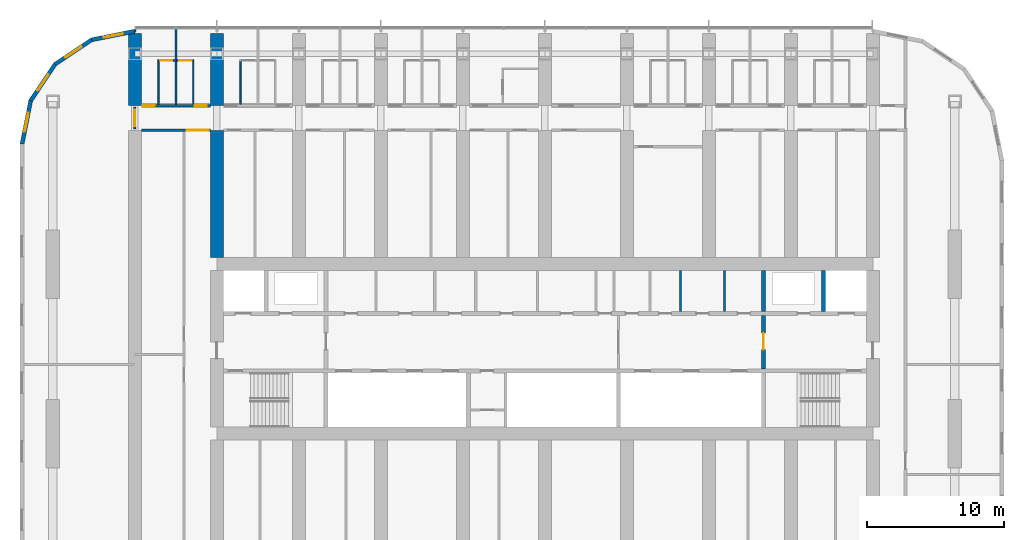
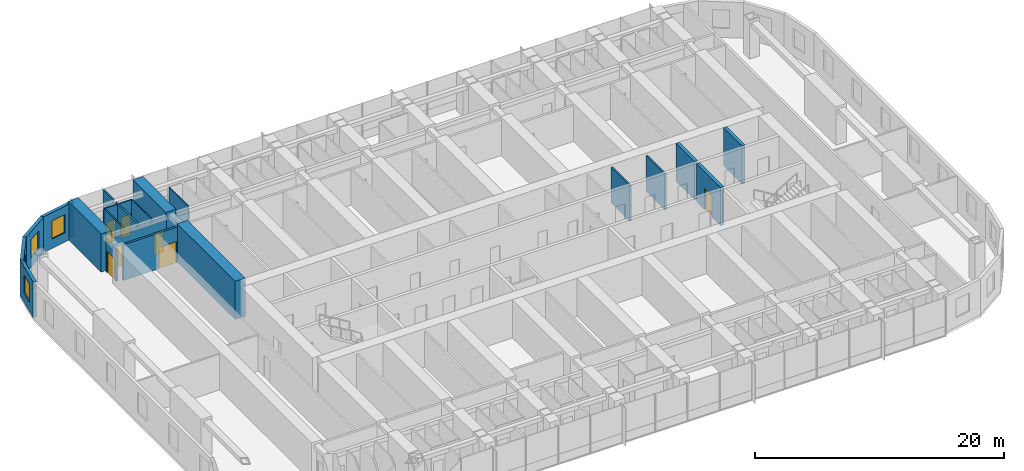
# One storey, part 13 of 22: 22 walls, 7 doors, 4 windows, 11 openings.
"""IFC4 building model written with IfcOpenShell, lengths in metres."""

import ifcopenshell
import ifcopenshell.guid

model = None  # the IFC model being written
_history = None  # IfcOwnerHistory: only IFC2X3 demands one
_inside = {}  # id of a spatial element -> (the spatial element, [elements in it])
_under = {}  # id of a project, library or spatial element -> (it, [spatial elements below it])
_declared = {}  # id of a project -> (the project, [libraries it declares])
_typed = {}  # id of a type object -> (the type object, [elements of that type])
_made_of = {}  # id of a material, layer set ... -> (it, [elements and type objects made of it])


def new_model(schema):
    """Start an empty IFC model of exactly this schema.

    Asked for "IFC4X3", IfcOpenShell would pick the latest addendum, in which some entities
    have other attributes; the version numbers below select the first issue.
    IFC2X3 requires an IfcOwnerHistory on every rooted entity: one is made here for all.
    """
    global model, _history
    if schema == "IFC4X3":
        model = ifcopenshell.file(schema_version=(4, 3, 0, 0))
    else:
        model = ifcopenshell.file(schema=schema)
    _inside.clear()
    _under.clear()
    _declared.clear()
    _typed.clear()
    _made_of.clear()
    _history = None
    if model.schema == "IFC2X3":
        org = make("IfcOrganization", Name="unknown")
        user = make(
            "IfcPersonAndOrganization",
            ThePerson=make("IfcPerson", FamilyName="unknown"),
            TheOrganization=org,
        )
        app = make(
            "IfcApplication",
            ApplicationDeveloper=org,
            Version="unknown",
            ApplicationFullName="unknown",
            ApplicationIdentifier="unknown",
        )
        _history = make(
            "IfcOwnerHistory",
            OwningUser=user,
            OwningApplication=app,
            ChangeAction="ADDED",
            CreationDate=0,
        )
    return model


def make(cls, **values):
    """One entity of the class cls with the attributes given. An attribute that is None is left unset."""
    return model.create_entity(
        cls, **{name: value for name, value in values.items() if value is not None}
    )


def rooted(cls, **values):
    """An entity with a GlobalId (a new one), such as an element, a storey or a relation."""
    return make(cls, GlobalId=ifcopenshell.guid.new(), OwnerHistory=_history, **values)


def si_unit(unit_type, name, prefix=None):
    """IfcSIUnit, for example si_unit("LENGTHUNIT", "METRE", prefix="MILLI")."""
    return make("IfcSIUnit", UnitType=unit_type, Prefix=prefix, Name=name)


def assignment(units):
    """IfcUnitAssignment: the units of a project."""
    return None if units is None else make("IfcUnitAssignment", Units=units)


def point(xyz):
    """IfcCartesianPoint."""
    return None if xyz is None else make("IfcCartesianPoint", Coordinates=xyz)


def direction(xyz):
    """IfcDirection."""
    return None if xyz is None else make("IfcDirection", DirectionRatios=xyz)


def frame(location, z_axis=None, x_axis=None):
    """IfcAxis2Placement3D, a coordinate frame: its origin and axes. An axis left out is left unset."""
    return make(
        "IfcAxis2Placement3D",
        Location=point(location),
        Axis=direction(z_axis),
        RefDirection=direction(x_axis),
    )


def frame_2d(location, x_axis=None):
    """IfcAxis2Placement2D, a coordinate frame in the plane: its origin and x axis."""
    return make(
        "IfcAxis2Placement2D", Location=point(location), RefDirection=direction(x_axis)
    )


def origin():
    """The frame at (0, 0, 0) with its axes left unset."""
    return frame((0.0, 0.0, 0.0))


def place(relative_to, where):
    """IfcLocalPlacement: puts the frame where relative to a parent placement (None: the world)."""
    return make(
        "IfcLocalPlacement", PlacementRelTo=relative_to, RelativePlacement=where
    )


def context(
    kind, dimensions, precision=None, world=None, true_north=None, identifier=None
):
    """IfcGeometricRepresentationContext, for example the 3D "Model" context."""
    return make(
        "IfcGeometricRepresentationContext",
        ContextIdentifier=identifier,
        ContextType=kind,
        CoordinateSpaceDimension=dimensions,
        Precision=precision,
        WorldCoordinateSystem=world,
        TrueNorth=true_north,
    )


def subcontext(parent, identifier, kind, view, scale=None):
    """IfcGeometricRepresentationSubContext, for example "Body" below "Model"."""
    return make(
        "IfcGeometricRepresentationSubContext",
        ContextIdentifier=identifier,
        ContextType=kind,
        ParentContext=parent,
        TargetScale=scale,
        TargetView=view,
    )


def project(units=None, contexts=None):
    """IfcProject with its units and contexts."""
    return rooted(
        "IfcProject",
        Name="project",
        RepresentationContexts=contexts,
        UnitsInContext=assignment(units),
    )


def spatial(cls, under=None, at=None, **own):
    """A site, building, storey or space (cls), placed at a placement, below another one or the project."""
    s = rooted(cls, ObjectPlacement=at, **own)
    if under is not None:
        _under.setdefault(under.id(), (under, []))[1].append(s)
    return s


def polyline(points):
    """IfcPolyline through the points."""
    return make("IfcPolyline", Points=[point(p) for p in points])


def profile(cls, at=None, kind="AREA", **sizes):
    """A parametric profile (cls). Its sizes go by their IFC names, for example OverallWidth=200.0."""
    return make(cls, ProfileType=kind, Position=at, **sizes)


def rectangle(**sizes):
    """IfcRectangleProfileDef."""
    return profile("IfcRectangleProfileDef", **sizes)


def outline(outer, holes=None, kind="AREA"):
    """IfcArbitraryClosedProfileDef: a profile drawn as a closed curve; with holes, ...WithVoids."""
    if holes is None:
        return make("IfcArbitraryClosedProfileDef", ProfileType=kind, OuterCurve=outer)
    return make(
        "IfcArbitraryProfileDefWithVoids",
        ProfileType=kind,
        OuterCurve=outer,
        InnerCurves=holes,
    )


def extrude(swept, where, along, depth):
    """IfcExtrudedAreaSolid: the profile swept, set in the frame where, extruded along a direction by depth."""
    return make(
        "IfcExtrudedAreaSolid",
        SweptArea=swept,
        Position=where,
        ExtrudedDirection=direction(along),
        Depth=depth,
    )


def shape(context_of_items, identifier, shape_type, items):
    """IfcShapeRepresentation: the items that make up one representation, for example the "Body"."""
    return make(
        "IfcShapeRepresentation",
        ContextOfItems=context_of_items,
        RepresentationIdentifier=identifier,
        RepresentationType=shape_type,
        Items=items,
    )


def material(Name=None, Category=None):
    """IfcMaterial."""
    return make("IfcMaterial", Name=Name, Category=Category)


def layer(
    of_material, thickness, ventilated=None, Name=None, Category=None, Priority=None
):
    """IfcMaterialLayer: one layer of a wall or slab, of a material (None: an air gap)."""
    return make(
        "IfcMaterialLayer",
        Material=of_material,
        LayerThickness=thickness,
        IsVentilated=ventilated,
        Name=Name,
        Category=Category,
        Priority=Priority,
    )


def layer_set(layers, Name=None):
    """IfcMaterialLayerSet."""
    return make("IfcMaterialLayerSet", MaterialLayers=layers, LayerSetName=Name)


def made_of(thing, what):
    """Note that an element or type object is made of a material, layer set ...; save() writes the relation."""
    if what is not None:
        _made_of.setdefault(what.id(), (what, []))[1].append(thing)
    return thing


def type_object(cls, material=None, **own):
    """A type object (cls), such as IfcWallType, which elements share."""
    return made_of(rooted(cls, **own), material)


def element(
    cls,
    number,
    at=None,
    inside=None,
    cuts=None,
    type_object=None,
    material=None,
    context=None,
    identifier="Body",
    shape_type=None,
    held_by="IfcProductDefinitionShape",
    body=None,
    shapes=None,
    **own,
):
    """One element of the class cls, such as IfcWall. Its Tag is "e" and its number.

    at: its placement. inside: the storey or other place that contains it. cuts: it is an
    opening in that element (IfcRelVoidsElement). A single representation is given by context,
    identifier, shape_type and body (its items); several are given by shapes. held_by: the class
    of the entity that holds the representations. save() writes the other relations.
    """
    e = rooted(cls, Tag="e%d" % number, ObjectPlacement=at, **own)
    if body is not None:
        shapes = [shape(context, identifier, shape_type, body)]
    if shapes is not None:
        e.Representation = make(held_by, Representations=shapes)
    if inside is not None:
        _inside.setdefault(inside.id(), (inside, []))[1].append(e)
    if cuts is not None:
        rooted(
            "IfcRelVoidsElement", RelatingBuildingElement=cuts, RelatedOpeningElement=e
        )
    if type_object is not None:
        _typed.setdefault(type_object.id(), (type_object, []))[1].append(e)
    return made_of(e, material)


def fill(opening, filler):
    """IfcRelFillsElement: the door or window that sits in an opening."""
    return rooted(
        "IfcRelFillsElement",
        RelatingOpeningElement=opening,
        RelatedBuildingElement=filler,
    )


def aggregate(whole, parts):
    """IfcRelAggregates: a whole, such as a stair, and the parts it consists of."""
    return rooted("IfcRelAggregates", RelatingObject=whole, RelatedObjects=parts)


def save(model, path):
    """Write the relations noted so far, then the file.

    IfcRelAggregates (storeys below a building ...), IfcRelContainedInSpatialStructure (elements
    in a storey), IfcRelDefinesByType, IfcRelAssociatesMaterial and IfcRelDeclares: one each for
    every whole, place, type object, material and project.
    """
    for whole, parts in _under.values():
        aggregate(whole, parts)
    for where, things in _inside.values():
        rooted(
            "IfcRelContainedInSpatialStructure",
            RelatedElements=things,
            RelatingStructure=where,
        )
    for kind, things in _typed.values():
        rooted("IfcRelDefinesByType", RelatedObjects=things, RelatingType=kind)
    for what, things in _made_of.values():
        rooted("IfcRelAssociatesMaterial", RelatedObjects=things, RelatingMaterial=what)
    for by, libraries in _declared.values():
        rooted("IfcRelDeclares", RelatingContext=by, RelatedDefinitions=libraries)
    model.write(path)


model = new_model("IFC4")

# Units and contexts
model_context = context("Model", 3, precision=1e-05, world=origin(), true_north=direction((0.0, 1.0)))
body_context = subcontext(model_context, "Body", "Model", "MODEL_VIEW")
ifc_project = project(units=[si_unit("LENGTHUNIT", "METRE"), si_unit("AREAUNIT", "SQUARE_METRE"), si_unit("VOLUMEUNIT", "CUBIC_METRE"), si_unit("PLANEANGLEUNIT", "RADIAN"), si_unit("MASSUNIT", "GRAM", prefix="KILO")], contexts=[model_context])

# Site, building, storey
site_placement = place(None, origin())
site = spatial("IfcSite", under=ifc_project, at=site_placement, CompositionType="ELEMENT")
building_placement = place(site_placement, origin())
building = spatial("IfcBuilding", under=site, at=building_placement, Name="Orbita Commons", CompositionType="ELEMENT")
storey_placement = place(building_placement, frame((0.0, 0.0, 121.89990234375)))
storey = spatial("IfcBuildingStorey", under=building, at=storey_placement, Name="L30", CompositionType="ELEMENT", Elevation=121.89990234375)

# Wall, opening, door
ifc_material_1 = material(Name="Concrete C50/60", Category="concrete")
ifc_layer_1 = layer(ifc_material_1, 0.300048828125)
ifc_layer_set_1 = layer_set([ifc_layer_1], Name="Concrete C50/60")
wall_type_1 = type_object("IfcWallType", Name="Core inner wall 300 C50/60", PredefinedType="SHEAR", material=ifc_layer_set_1)
wall_1_placement = place(storey_placement, frame((58.0, 30.550048828125, 0.0), z_axis=(0.0, 0.0, 1.0), x_axis=(0.0, 1.0, 0.0)))
wall_1 = element("IfcWall", 1, at=wall_1_placement, inside=storey, type_object=wall_type_1, Name="Firefighting lobby wall east L30", PredefinedType="SHEAR", context=body_context, shape_type="SweptSolid", body=[
    extrude(rectangle(XDim=3.89990234375, YDim=0.300048828125, at=frame_2d((1.949951171875, 0.0))), origin(), (0.0, 0.0, 1.0), 3.75),
])
opening_1_placement = place(wall_1_placement, frame((1.39990234375, 0.0, 0.0)))
opening_1 = element("IfcOpeningElement", 2, at=opening_1_placement, cuts=wall_1, Name="Opening D04", PredefinedType="OPENING", context=body_context, shape_type="SweptSolid", body=[
    extrude(rectangle(XDim=1.199951171875, YDim=2.10009765625, at=frame_2d((0.60009765625, 1.050048828125))), frame((0.0, 0.159912109375, 0.0), z_axis=(0.0, -1.0, 0.0), x_axis=(1.0, 0.0, 0.0)), (0.0, 0.0, 1.0), 0.320068359375),
])
ifc_material_2 = material(Name="Steel-faced fire door leaf", Category="steel")
door_type_1 = type_object("IfcDoorType", Name="Service door 20 min 1200x2100", OperationType="SINGLE_SWING_LEFT", PredefinedType="DOOR", material=ifc_material_2)
door_1_placement = place(opening_1_placement, origin())
door_1 = element("IfcDoor", 3, at=door_1_placement, inside=storey, type_object=door_type_1, Name="Lift lobby door east", OperationType="SINGLE_SWING_LEFT", OverallHeight=2.10009765625, OverallWidth=1.199951171875, PredefinedType="DOOR", context=body_context, shape_type="SweptSolid", body=[
    extrude(rectangle(XDim=1.199951171875, YDim=2.10009765625, at=frame_2d((0.60009765625, 1.050048828125))), frame((0.0, 0.02490234375, 0.0), z_axis=(0.0, -1.0, 0.0), x_axis=(1.0, 0.0, 0.0)), (0.0, 0.0, 1.0), 0.050048828125),
])
fill(opening_1, door_1)

# Walls
for number, where, z_axis, x_axis, name in (
    (4, (62.39990234375, 34.75, 0.0), (0.0, 0.0, 1.0), (0.0, 1.0, 0.0), "Firefighting lift FL2 shaft wall L30"),
    (5, (58.0, 34.75, 0.0), (0.0, 0.0, 1.0), (0.0, 1.0, 0.0), "Riser wall east L30"),
):
    element("IfcWall", number, at=place(storey_placement, frame(where, z_axis=z_axis, x_axis=x_axis)), inside=storey, type_object=wall_type_1, Name=name, PredefinedType="SHEAR", context=body_context, shape_type="SweptSolid", body=[
        extrude(rectangle(XDim=2.97509765625, YDim=0.300048828125, at=frame_2d((1.487548828125, 0.0))), origin(), (0.0, 0.0, 1.0), 3.75),
    ])
ifc_material_3 = material(Name="Concrete blockwork", Category="masonry")
ifc_layer_2 = layer(ifc_material_3, 0.14990234375)
ifc_layer_set_2 = layer_set([ifc_layer_2], Name="Concrete blockwork")
wall_type_2 = type_object("IfcWallType", Name="Core partition 150 blockwork", PredefinedType="SOLIDWALL", material=ifc_layer_set_2)
for number, where, z_axis, x_axis, name in (
    (6, (51.92138671875, 34.75, 0.0), (0.0, 0.0, 1.0), (0.0, 1.0, 0.0), "Core partition 150 blockwork L30"),
    (7, (55.163330078125, 34.75, 0.0), (0.0, 0.0, 1.0), (0.0, 1.0, 0.0), "Core partition 150 blockwork L30"),
):
    element("IfcWall", number, at=place(storey_placement, frame(where, z_axis=z_axis, x_axis=x_axis)), inside=storey, type_object=wall_type_2, Name=name, PredefinedType="SOLIDWALL", context=body_context, shape_type="SweptSolid", body=[
        extrude(rectangle(XDim=2.97509765625, YDim=0.14990234375, at=frame_2d((1.487548828125, 0.0))), origin(), (0.0, 0.0, 1.0), 3.5),
    ])

# Wall, openings, doors
ifc_material_4 = material(Name="Concrete blockwork", Category="masonry")
ifc_layer_3 = layer(ifc_material_4, 0.199951171875)
ifc_layer_set_3 = layer_set([ifc_layer_3], Name="Concrete blockwork")
wall_type_3 = type_object("IfcWallType", Name="Corridor wall 200 blockwork", PredefinedType="SOLIDWALL", material=ifc_layer_set_3)
wall_2_placement = place(storey_placement, frame((12.47509765625, 49.800048828125, 0.0), z_axis=(0.0, 0.0, 1.0), x_axis=(1.0, 0.0, 0.0)))
wall_2 = element("IfcWall", 8, at=wall_2_placement, inside=storey, type_object=wall_type_3, Name="Corridor wall 200 blockwork L30", PredefinedType="SOLIDWALL", context=body_context, shape_type="SweptSolid", body=[
    extrude(outline(polyline([(0.0, 0.0), (5.0498046875, 0.0), (5.050048828125, 3.10009765625), (0.0, 3.10009765625), (0.0, 0.0)])), frame((0.0, 0.10009765625, 0.0), z_axis=(0.0, -1.0, 0.0), x_axis=(1.0, 0.0, 0.0)), (0.0, 0.0, 1.0), 0.199951171875),
])
opening_2_placement = place(wall_2_placement, frame((0.10009765625, 0.0, 0.0)))
opening_2 = element("IfcOpeningElement", 9, at=opening_2_placement, cuts=wall_2, Name="Opening D11", PredefinedType="OPENING", context=body_context, shape_type="SweptSolid", body=[
    extrude(rectangle(XDim=0.89990234375, YDim=2.10009765625, at=frame_2d((0.449951171875, 1.050048828125))), frame((0.0, 0.10986328125, 0.0), z_axis=(0.0, -1.0, 0.0), x_axis=(1.0, 0.0, 0.0)), (0.0, 0.0, 1.0), 0.219970703125),
])
opening_3_placement = place(wall_2_placement, frame((3.89990234375, 0.0, 0.0)))
opening_3 = element("IfcOpeningElement", 10, at=opening_3_placement, cuts=wall_2, Name="Opening D11", PredefinedType="OPENING", context=body_context, shape_type="SweptSolid", body=[
    extrude(rectangle(XDim=0.89990234375, YDim=2.10009765625, at=frame_2d((0.449951171875, 1.050048828125))), frame((0.0, 0.10986328125, 0.0), z_axis=(0.0, -1.0, 0.0), x_axis=(1.0, 0.0, 0.0)), (0.0, 0.0, 1.0), 0.219970703125),
])
ifc_material_5 = material(Name="Steel-faced fire door leaf", Category="steel")
door_type_2 = type_object("IfcDoorType", Name="Corridor door 20 min 900x2100", OperationType="SINGLE_SWING_LEFT", PredefinedType="DOOR", material=ifc_material_5)
door_2_placement = place(opening_2_placement, origin())
door_2 = element("IfcDoor", 11, at=door_2_placement, inside=storey, type_object=door_type_2, Name="Cluster bedroom L30-N00 door", OperationType="SINGLE_SWING_LEFT", OverallHeight=2.10009765625, OverallWidth=0.89990234375, PredefinedType="DOOR", context=body_context, shape_type="SweptSolid", body=[
    extrude(rectangle(XDim=0.89990234375, YDim=2.10009765625, at=frame_2d((0.449951171875, 1.050048828125))), frame((0.0, 0.02490234375, 0.0), z_axis=(0.0, -1.0, 0.0), x_axis=(1.0, 0.0, 0.0)), (0.0, 0.0, 1.0), 0.050048828125),
])
fill(opening_2, door_2)
door_3_placement = place(opening_3_placement, origin())
door_3 = element("IfcDoor", 12, at=door_3_placement, inside=storey, type_object=door_type_2, Name="Cluster bedroom L30-N01 door", OperationType="SINGLE_SWING_LEFT", OverallHeight=2.10009765625, OverallWidth=0.89990234375, PredefinedType="DOOR", context=body_context, shape_type="SweptSolid", body=[
    extrude(rectangle(XDim=0.89990234375, YDim=2.10009765625, at=frame_2d((0.449951171875, 1.050048828125))), frame((0.0, 0.02490234375, 0.0), z_axis=(0.0, -1.0, 0.0), x_axis=(1.0, 0.0, 0.0)), (0.0, 0.0, 1.0), 0.050048828125),
])
fill(opening_3, door_3)

# Wall, opening, door
wall_3_placement = place(storey_placement, frame((12.0, 48.10009765625, 0.0), z_axis=(0.0, 0.0, 1.0), x_axis=(0.0, 1.0, 0.0)))
wall_3 = element("IfcWall", 13, at=wall_3_placement, inside=storey, type_object=wall_type_3, Name="Corridor wall 200 blockwork L30", PredefinedType="SOLIDWALL", context=body_context, shape_type="SweptSolid", body=[
    extrude(outline(polyline([(0.0, 0.0), (1.599853515625, 0.0), (1.60009765625, 3.10009765625), (0.0, 3.10009765625), (0.0, 0.0)])), frame((0.0, 0.10009765625, 0.0), z_axis=(0.0, -1.0, 0.0), x_axis=(1.0, 0.0, 0.0)), (0.0, 0.0, 1.0), 0.199951171875),
])
opening_4_placement = place(wall_3_placement, frame((0.199951171875, 0.0, 0.0)))
opening_4 = element("IfcOpeningElement", 14, at=opening_4_placement, cuts=wall_3, Name="Opening D12", PredefinedType="OPENING", context=body_context, shape_type="SweptSolid", body=[
    extrude(rectangle(XDim=1.199951171875, YDim=2.10009765625, at=frame_2d((0.60009765625, 1.050048828125))), frame((0.0, 0.10986328125, 0.0), z_axis=(0.0, -1.0, 0.0), x_axis=(1.0, 0.0, 0.0)), (0.0, 0.0, 1.0), 0.219970703125),
])
ifc_material_6 = material(Name="Steel-faced fire door leaf", Category="steel")
door_type_3 = type_object("IfcDoorType", Name="Double corridor door 20 min 1200x2100", OperationType="DOUBLE_DOOR_SINGLE_SWING", PredefinedType="DOOR", material=ifc_material_6)
door_4_placement = place(opening_4_placement, origin())
door_4 = element("IfcDoor", 15, at=door_4_placement, inside=storey, type_object=door_type_3, Name="Lounge doors", OperationType="DOUBLE_DOOR_SINGLE_SWING", OverallHeight=2.10009765625, OverallWidth=1.199951171875, PredefinedType="DOOR", context=body_context, shape_type="SweptSolid", body=[
    extrude(rectangle(XDim=1.199951171875, YDim=2.10009765625, at=frame_2d((0.60009765625, 1.050048828125))), frame((0.0, 0.02490234375, 0.0), z_axis=(0.0, -1.0, 0.0), x_axis=(1.0, 0.0, 0.0)), (0.0, 0.0, 1.0), 0.050048828125),
])
fill(opening_4, door_4)

ifc_material_7 = material(Name="Hollow concrete block 200", Category="concrete")
ifc_layer_4 = layer(ifc_material_7, 0.199951171875)
ifc_layer_set_4 = layer_set([ifc_layer_4], Name="Hollow concrete block 200")
wall_type_4 = type_object("IfcWallType", Name="Corridor wall 200 hollow concrete block", PredefinedType="SOLIDWALL", material=ifc_layer_set_4)
wall_4_placement = place(storey_placement, frame((12.47509765625, 48.0, 0.0), z_axis=(0.0, 0.0, 1.0), x_axis=(1.0, 0.0, 0.0)))
wall_4 = element("IfcWall", 16, at=wall_4_placement, inside=storey, type_object=wall_type_4, Name="Corridor wall 200 hollow concrete block L30", PredefinedType="SOLIDWALL", context=body_context, shape_type="SweptSolid", body=[
    extrude(rectangle(XDim=5.0498046875, YDim=0.199951171875, at=frame_2d((2.52490234375, 0.0))), origin(), (0.0, 0.0, 1.0), 3.5),
])
opening_5_placement = place(wall_4_placement, frame((3.324951171875, 0.0, 0.0)))
opening_5 = element("IfcOpeningElement", 17, at=opening_5_placement, cuts=wall_4, Name="Opening D10", PredefinedType="OPENING", context=body_context, shape_type="SweptSolid", body=[
    extrude(rectangle(XDim=1.60009765625, YDim=2.10009765625, at=frame_2d((0.800048828125, 1.050048828125))), frame((0.0, 0.10986328125, 0.0), z_axis=(0.0, -1.0, 0.0), x_axis=(1.0, 0.0, 0.0)), (0.0, 0.0, 1.0), 0.219970703125),
])
ifc_material_8 = material(Name="Steel-faced fire door leaf", Category="steel")
door_type_4 = type_object("IfcDoorType", Name="Double corridor door 20 min 1600x2100", OperationType="DOUBLE_DOOR_SINGLE_SWING", PredefinedType="DOOR", material=ifc_material_8)
door_5_placement = place(opening_5_placement, origin())
door_5 = element("IfcDoor", 18, at=door_5_placement, inside=storey, type_object=door_type_4, Name="Cross corridor doors", OperationType="DOUBLE_DOOR_SINGLE_SWING", OverallHeight=2.10009765625, OverallWidth=1.60009765625, PredefinedType="DOOR", context=body_context, shape_type="SweptSolid", body=[
    extrude(rectangle(XDim=1.60009765625, YDim=2.10009765625, at=frame_2d((0.800048828125, 1.050048828125))), frame((0.0, 0.02490234375, 0.0), z_axis=(0.0, -1.0, 0.0), x_axis=(1.0, 0.0, 0.0)), (0.0, 0.0, 1.0), 0.050048828125),
])
fill(opening_5, door_5)

# Walls
ifc_material_9 = material(Name="Concrete C50/60", Category="concrete")
ifc_layer_5 = layer(ifc_material_9, 0.949951171875)
ifc_layer_set_5 = layer_set([ifc_layer_5], Name="Concrete C50/60")
wall_type_5 = type_object("IfcWallType", Name="Cross wall 950 C50/60", PredefinedType="SHEAR", material=ifc_layer_set_5)
for number, where, z_axis, x_axis, name in (
    (19, (12.0, 49.800048828125, 0.0), (0.0, 0.0, 1.0), (0.0, 1.0, 0.0), "Cross wall 3 north outer L30"),
    (20, (18.0, 49.800048828125, 0.0), (0.0, 0.0, 1.0), (0.0, 1.0, 0.0), "Cross wall 4 north outer L30"),
):
    element("IfcWall", number, at=place(storey_placement, frame(where, z_axis=z_axis, x_axis=x_axis)), inside=storey, type_object=wall_type_5, Name=name, PredefinedType="SHEAR", context=body_context, shape_type="SweptSolid", body=[
        extrude(rectangle(XDim=5.300048828125, YDim=0.949951171875, at=frame_2d((2.64990234375, 0.0))), origin(), (0.0, 0.0, 1.0), 3.75),
    ])
wall_5_placement = place(storey_placement, frame((18.0, 38.675048828125, 0.0), z_axis=(0.0, 0.0, 1.0), x_axis=(0.0, 1.0, 0.0)))
element("IfcWall", 21, at=wall_5_placement, inside=storey, type_object=wall_type_5, Name="Cross wall 4 north inner L30", PredefinedType="SHEAR", context=body_context, shape_type="SweptSolid", body=[
    extrude(rectangle(XDim=9.324951171875, YDim=0.949951171875, at=frame_2d((4.66259765625, 0.0))), origin(), (0.0, 0.0, 1.0), 3.75),
])

# Wall, opening, door
ifc_material_10 = material(Name="Moisture-resistant plasterboard on steel studs", Category="steel")
ifc_layer_6 = layer(ifc_material_10, 0.10009765625)
ifc_layer_set_6 = layer_set([ifc_layer_6], Name="Moisture-resistant plasterboard on steel studs")
wall_type_6 = type_object("IfcWallType", Name="En-suite partition 100", PredefinedType="PARTITIONING", material=ifc_layer_set_6)
wall_6_placement = place(storey_placement, frame((13.675048828125, 53.10009765625, 0.0), z_axis=(0.0, 0.0, 1.0), x_axis=(1.0, 0.0, 0.0)))
wall_6 = element("IfcWall", 22, at=wall_6_placement, inside=storey, type_object=wall_type_6, Name="En-suite partition 100 L30", PredefinedType="PARTITIONING", context=body_context, shape_type="SweptSolid", body=[
    extrude(rectangle(XDim=1.25, YDim=0.10009765625, at=frame_2d((0.625, 0.0))), origin(), (0.0, 0.0, 1.0), 3.5),
])
opening_6_placement = place(wall_6_placement, frame((0.175048828125, 0.0, 0.0)))
opening_6 = element("IfcOpeningElement", 23, at=opening_6_placement, cuts=wall_6, Name="Opening D09", PredefinedType="OPENING", context=body_context, shape_type="SweptSolid", body=[
    extrude(rectangle(XDim=0.89990234375, YDim=2.10009765625, at=frame_2d((0.449951171875, 1.050048828125))), frame((0.0, 0.06005859375, 0.0), z_axis=(0.0, -1.0, 0.0), x_axis=(1.0, 0.0, 0.0)), (0.0, 0.0, 1.0), 0.1201171875),
])
ifc_material_11 = material(Name="Laminated timber door leaf", Category="wood")
door_type_5 = type_object("IfcDoorType", Name="En-suite door 900x2100", OperationType="SINGLE_SWING_RIGHT", PredefinedType="DOOR", material=ifc_material_11)
door_6_placement = place(opening_6_placement, origin())
door_6 = element("IfcDoor", 24, at=door_6_placement, inside=storey, type_object=door_type_5, Name="En-suite L30-N00 door", OperationType="SINGLE_SWING_RIGHT", OverallHeight=2.10009765625, OverallWidth=0.89990234375, PredefinedType="DOOR", context=body_context, shape_type="SweptSolid", body=[
    extrude(rectangle(XDim=0.89990234375, YDim=2.10009765625, at=frame_2d((0.449951171875, 1.050048828125))), frame((0.0, 0.02490234375, 0.0), z_axis=(0.0, -1.0, 0.0), x_axis=(1.0, 0.0, 0.0)), (0.0, 0.0, 1.0), 0.050048828125),
])
fill(opening_6, door_6)

# Wall
wall_7_placement = place(storey_placement, frame((13.72509765625, 53.050048828125, 0.0), z_axis=(0.0, 0.0, 1.0), x_axis=(0.0, -1.0, 0.0)))
element("IfcWall", 25, at=wall_7_placement, inside=storey, type_object=wall_type_6, Name="En-suite partition 100 L30", PredefinedType="PARTITIONING", context=body_context, shape_type="SweptSolid", body=[
    extrude(outline(polyline([(0.0, 0.0), (3.150146484375, 0.0), (3.14990234375, 3.10009765625), (3.10205078125, 3.10009765625), (3.10009765625, 3.5), (0.0, 3.5), (0.0, 0.0)])), frame((0.0, 0.050048828125, 0.0), z_axis=(0.0, -1.0, 0.0), x_axis=(1.0, 0.0, 0.0)), (0.0, 0.0, 1.0), 0.10009765625),
])

# Wall, opening, door
wall_8_placement = place(storey_placement, frame((15.074951171875, 53.10009765625, 0.0), z_axis=(0.0, 0.0, 1.0), x_axis=(1.0, 0.0, 0.0)))
wall_8 = element("IfcWall", 26, at=wall_8_placement, inside=storey, type_object=wall_type_6, Name="En-suite partition 100 L30", PredefinedType="PARTITIONING", context=body_context, shape_type="SweptSolid", body=[
    extrude(rectangle(XDim=1.25, YDim=0.10009765625, at=frame_2d((0.625, 0.0))), origin(), (0.0, 0.0, 1.0), 3.5),
])
opening_7_placement = place(wall_8_placement, frame((0.175048828125, 0.0, 0.0)))
opening_7 = element("IfcOpeningElement", 27, at=opening_7_placement, cuts=wall_8, Name="Opening D09", PredefinedType="OPENING", context=body_context, shape_type="SweptSolid", body=[
    extrude(rectangle(XDim=0.89990234375, YDim=2.10009765625, at=frame_2d((0.449951171875, 1.050048828125))), frame((0.0, 0.06005859375, 0.0), z_axis=(0.0, -1.0, 0.0), x_axis=(1.0, 0.0, 0.0)), (0.0, 0.0, 1.0), 0.1201171875),
])
door_7_placement = place(opening_7_placement, origin())
door_7 = element("IfcDoor", 28, at=door_7_placement, inside=storey, type_object=door_type_5, Name="En-suite L30-N01 door", OperationType="SINGLE_SWING_RIGHT", OverallHeight=2.10009765625, OverallWidth=0.89990234375, PredefinedType="DOOR", context=body_context, shape_type="SweptSolid", body=[
    extrude(rectangle(XDim=0.89990234375, YDim=2.10009765625, at=frame_2d((0.449951171875, 1.050048828125))), frame((0.0, 0.02490234375, 0.0), z_axis=(0.0, -1.0, 0.0), x_axis=(1.0, 0.0, 0.0)), (0.0, 0.0, 1.0), 0.050048828125),
])
fill(opening_7, door_7)

# Walls
for number, where, z_axis, x_axis, name in (
    (29, (16.27490234375, 53.050048828125, 0.0), (0.0, 0.0, 1.0), (0.0, -1.0, 0.0), "En-suite partition 100 L30"),
    (30, (19.72509765625, 53.050048828125, 0.0), (0.0, 0.0, 1.0), (0.0, -1.0, 0.0), "En-suite partition 100 L30"),
):
    element("IfcWall", number, at=place(storey_placement, frame(where, z_axis=z_axis, x_axis=x_axis)), inside=storey, type_object=wall_type_6, Name=name, PredefinedType="PARTITIONING", context=body_context, shape_type="SweptSolid", body=[
        extrude(outline(polyline([(0.0, 0.0), (3.150146484375, 0.0), (3.14990234375, 3.10009765625), (3.10205078125, 3.10009765625), (3.10009765625, 3.5), (0.0, 3.5), (0.0, 0.0)])), frame((0.0, 0.050048828125, 0.0), z_axis=(0.0, -1.0, 0.0), x_axis=(1.0, 0.0, 0.0)), (0.0, 0.0, 1.0), 0.10009765625),
    ])
ifc_material_12 = material(Name="Gypsum plasterboard on steel studs", Category="steel")
ifc_layer_7 = layer(ifc_material_12, 0.14990234375)
ifc_layer_set_7 = layer_set([ifc_layer_7], Name="Gypsum plasterboard on steel studs")
wall_type_7 = type_object("IfcWallType", Name="Partition 150 plasterboard", PredefinedType="PARTITIONING", material=ifc_layer_set_7)
wall_9_placement = place(storey_placement, frame((12.0, 55.199951171875, 0.0), z_axis=(0.0, 0.0, 1.0), x_axis=(0.0, 1.0, 0.0)))
element("IfcWall", 31, at=wall_9_placement, inside=storey, type_object=wall_type_7, Name="Partition 150 plasterboard L30", PredefinedType="PARTITIONING", context=body_context, shape_type="SweptSolid", body=[
    extrude(rectangle(XDim=0.219970703125, YDim=0.14990234375, at=frame_2d((0.10986328125, 0.0))), origin(), (0.0, 0.0, 1.0), 3.5),
])
ifc_material_13 = material(Name="Gypsum plasterboard on steel studs", Category="steel")
ifc_layer_8 = layer(ifc_material_13, 0.14990234375)
ifc_layer_set_8 = layer_set([ifc_layer_8], Name="Gypsum plasterboard on steel studs")
wall_type_8 = type_object("IfcWallType", Name="Party wall 150 plasterboard", PredefinedType="PARTITIONING", material=ifc_layer_set_8)
wall_10_placement = place(storey_placement, frame((15.0, 55.389892578125, 0.0), z_axis=(0.0, 0.0, 1.0), x_axis=(0.0, -1.0, 0.0)))
element("IfcWall", 32, at=wall_10_placement, inside=storey, type_object=wall_type_8, Name="Party wall 150 plasterboard L30", PredefinedType="PARTITIONING", context=body_context, shape_type="SweptSolid", body=[
    extrude(outline(polyline([(0.0, 0.0), (5.489990234375, 0.0), (5.489990234375, 3.10009765625), (5.44189453125, 3.10009765625), (5.43994140625, 3.5), (1.991943359375, 3.5), (1.989990234375, 3.10009765625), (1.592041015625, 3.10009765625), (1.590087890625, 3.5), (0.0, 3.5), (0.0, 0.0)])), frame((0.0, 0.074951171875, 0.0), z_axis=(0.0, -1.0, 0.0), x_axis=(1.0, 0.0, 0.0)), (0.0, 0.0, 1.0), 0.14990234375),
])

# Wall, opening, window
ifc_material_14 = material(Name="Precast concrete C40/50, white board-marked finish", Category="concrete")
ifc_layer_9 = layer(ifc_material_14, 0.300048828125)
ifc_layer_set_9 = layer_set([ifc_layer_9], Name="Precast concrete C40/50, white board-marked finish")
wall_type_9 = type_object("IfcWallType", Name="Precast concrete end shield 300", PredefinedType="SOLIDWALL", material=ifc_layer_set_9)
wall_11_placement = place(storey_placement, frame((12.0, 55.25, 0.0), z_axis=(0.0, 0.0, 1.0), x_axis=(-0.980787251524, -0.195080412259, 0.0)))
wall_11 = element("IfcWall", 33, at=wall_11_placement, inside=storey, type_object=wall_type_9, Name="End shield NW chord 1 L30", PredefinedType="SOLIDWALL", context=body_context, shape_type="SweptSolid", body=[
    extrude(outline(polyline([(-0.02978515625, -0.14990234375), (3.24853515625, -0.14990234375), (3.18896484375, 0.14990234375), (0.02978515625, 0.14990234375), (-0.02978515625, -0.14990234375)])), origin(), (0.0, 0.0, 1.0), 3.5),
])
opening_8_placement = place(wall_11_placement, frame((0.909423828125, 0.0, 0.89990234375)))
opening_8 = element("IfcOpeningElement", 34, at=opening_8_placement, cuts=wall_11, Name="Opening W02", PredefinedType="OPENING", context=body_context, shape_type="SweptSolid", body=[
    extrude(rectangle(XDim=1.39990234375, YDim=1.800048828125, at=frame_2d((0.699951171875, 0.89990234375))), frame((0.0, 0.159912109375, 0.0), z_axis=(0.0, -1.0, 0.0), x_axis=(1.0, 0.0, 0.0)), (0.0, 0.0, 1.0), 0.320068359375),
])
ifc_material_15 = material(Name="Aluminium frame, clear double glazing", Category="aluminium")
window_type = type_object("IfcWindowType", Name="Deep-set window 1400x1800", PartitioningType="SINGLE_PANEL", PredefinedType="WINDOW", material=ifc_material_15)
window_1_placement = place(opening_8_placement, origin())
window_1 = element("IfcWindow", 35, at=window_1_placement, inside=storey, type_object=window_type, Name="Window L30-NW0", OverallHeight=1.800048828125, OverallWidth=1.39990234375, PartitioningType="SINGLE_PANEL", PredefinedType="WINDOW", context=body_context, shape_type="SweptSolid", body=[
    extrude(rectangle(XDim=1.39990234375, YDim=1.800048828125, at=frame_2d((0.699951171875, 0.89990234375))), frame((0.0, 0.030029296875, 0.0), z_axis=(0.0, -1.0, 0.0), x_axis=(1.0, 0.0, 0.0)), (0.0, 0.0, 1.0), 0.06005859375),
])
fill(opening_8, window_1)

wall_12_placement = place(storey_placement, frame((8.843017578125, 54.6220703125, 0.0), z_axis=(0.0, 0.0, 1.0), x_axis=(-0.831443069936, -0.555609954424, 0.0)))
wall_12 = element("IfcWall", 36, at=wall_12_placement, inside=storey, type_object=wall_type_9, Name="End shield NW chord 2 L30", PredefinedType="SOLIDWALL", context=body_context, shape_type="SweptSolid", body=[
    extrude(outline(polyline([(-0.02978515625, -0.14990234375), (3.2490234375, -0.14990234375), (3.189453125, 0.14990234375), (0.02978515625, 0.14990234375), (-0.02978515625, -0.14990234375)])), origin(), (0.0, 0.0, 1.0), 3.5),
])
opening_9_placement = place(wall_12_placement, frame((0.909423828125, 0.0, 0.89990234375)))
opening_9 = element("IfcOpeningElement", 37, at=opening_9_placement, cuts=wall_12, Name="Opening W02", PredefinedType="OPENING", context=body_context, shape_type="SweptSolid", body=[
    extrude(rectangle(XDim=1.39990234375, YDim=1.800048828125, at=frame_2d((0.699951171875, 0.89990234375))), frame((0.0, 0.159912109375, 0.0), z_axis=(0.0, -1.0, 0.0), x_axis=(1.0, 0.0, 0.0)), (0.0, 0.0, 1.0), 0.320068359375),
])
window_2_placement = place(opening_9_placement, origin())
window_2 = element("IfcWindow", 38, at=window_2_placement, inside=storey, type_object=window_type, Name="Window L30-NW1", OverallHeight=1.800048828125, OverallWidth=1.39990234375, PartitioningType="SINGLE_PANEL", PredefinedType="WINDOW", context=body_context, shape_type="SweptSolid", body=[
    extrude(rectangle(XDim=1.39990234375, YDim=1.800048828125, at=frame_2d((0.699951171875, 0.89990234375))), frame((0.0, 0.030029296875, 0.0), z_axis=(0.0, -1.0, 0.0), x_axis=(1.0, 0.0, 0.0)), (0.0, 0.0, 1.0), 0.06005859375),
])
fill(opening_9, window_2)

wall_13_placement = place(storey_placement, frame((6.16650390625, 52.83349609375, 0.0), z_axis=(0.0, 0.0, 1.0), x_axis=(-0.555609954424, -0.831443069936, 0.0)))
wall_13 = element("IfcWall", 39, at=wall_13_placement, inside=storey, type_object=wall_type_9, Name="End shield NW chord 3 L30", PredefinedType="SOLIDWALL", context=body_context, shape_type="SweptSolid", body=[
    extrude(outline(polyline([(-0.02978515625, -0.14990234375), (3.2490234375, -0.14990234375), (3.189453125, 0.14990234375), (0.02978515625, 0.14990234375), (-0.02978515625, -0.14990234375)])), origin(), (0.0, 0.0, 1.0), 3.5),
])
opening_10_placement = place(wall_13_placement, frame((0.909423828125, 0.0, 0.89990234375)))
opening_10 = element("IfcOpeningElement", 40, at=opening_10_placement, cuts=wall_13, Name="Opening W02", PredefinedType="OPENING", context=body_context, shape_type="SweptSolid", body=[
    extrude(rectangle(XDim=1.39990234375, YDim=1.800048828125, at=frame_2d((0.699951171875, 0.89990234375))), frame((0.0, 0.159912109375, 0.0), z_axis=(0.0, -1.0, 0.0), x_axis=(1.0, 0.0, 0.0)), (0.0, 0.0, 1.0), 0.320068359375),
])
window_3_placement = place(opening_10_placement, origin())
window_3 = element("IfcWindow", 41, at=window_3_placement, inside=storey, type_object=window_type, Name="Window L30-NW2", OverallHeight=1.800048828125, OverallWidth=1.39990234375, PartitioningType="SINGLE_PANEL", PredefinedType="WINDOW", context=body_context, shape_type="SweptSolid", body=[
    extrude(rectangle(XDim=1.39990234375, YDim=1.800048828125, at=frame_2d((0.699951171875, 0.89990234375))), frame((0.0, 0.030029296875, 0.0), z_axis=(0.0, -1.0, 0.0), x_axis=(1.0, 0.0, 0.0)), (0.0, 0.0, 1.0), 0.06005859375),
])
fill(opening_10, window_3)

wall_14_placement = place(storey_placement, frame((4.3779296875, 50.156982421875, 0.0), z_axis=(0.0, 0.0, 1.0), x_axis=(-0.195080412259, -0.980787251524, 0.0)))
wall_14 = element("IfcWall", 42, at=wall_14_placement, inside=storey, type_object=wall_type_9, Name="End shield NW chord 4 L30", PredefinedType="SOLIDWALL", context=body_context, shape_type="SweptSolid", body=[
    extrude(outline(polyline([(-0.02978515625, -0.14990234375), (3.233642578125, -0.14990234375), (3.203857421875, 0.14990234375), (0.02978515625, 0.14990234375), (-0.02978515625, -0.14990234375)])), origin(), (0.0, 0.0, 1.0), 3.5),
])
opening_11_placement = place(wall_14_placement, frame((0.909423828125, 0.0, 0.89990234375)))
opening_11 = element("IfcOpeningElement", 43, at=opening_11_placement, cuts=wall_14, Name="Opening W02", PredefinedType="OPENING", context=body_context, shape_type="SweptSolid", body=[
    extrude(rectangle(XDim=1.39990234375, YDim=1.800048828125, at=frame_2d((0.699951171875, 0.89990234375))), frame((0.0, 0.159912109375, 0.0), z_axis=(0.0, -1.0, 0.0), x_axis=(1.0, 0.0, 0.0)), (0.0, 0.0, 1.0), 0.320068359375),
])
window_4_placement = place(opening_11_placement, origin())
window_4 = element("IfcWindow", 44, at=window_4_placement, inside=storey, type_object=window_type, Name="Window L30-NW3", OverallHeight=1.800048828125, OverallWidth=1.39990234375, PartitioningType="SINGLE_PANEL", PredefinedType="WINDOW", context=body_context, shape_type="SweptSolid", body=[
    extrude(rectangle(XDim=1.39990234375, YDim=1.800048828125, at=frame_2d((0.699951171875, 0.89990234375))), frame((0.0, 0.030029296875, 0.0), z_axis=(0.0, -1.0, 0.0), x_axis=(1.0, 0.0, 0.0)), (0.0, 0.0, 1.0), 0.06005859375),
])
fill(opening_11, window_4)

save(model, "model.ifc")
